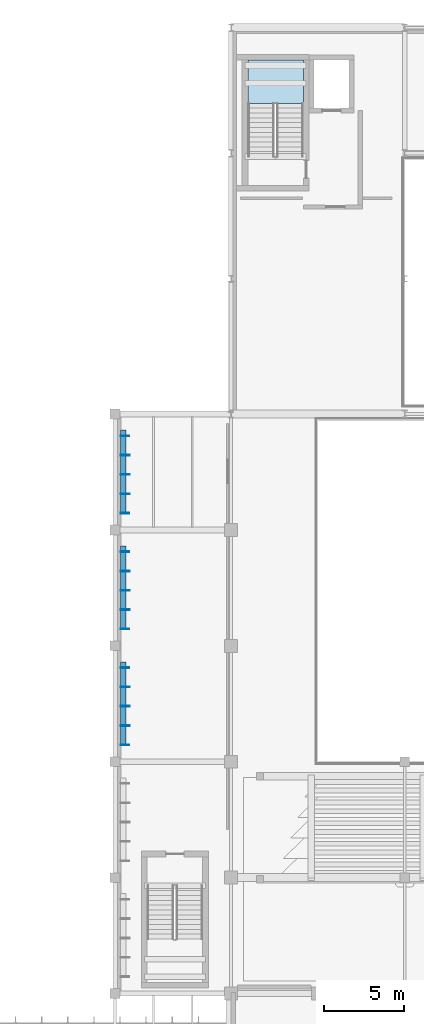
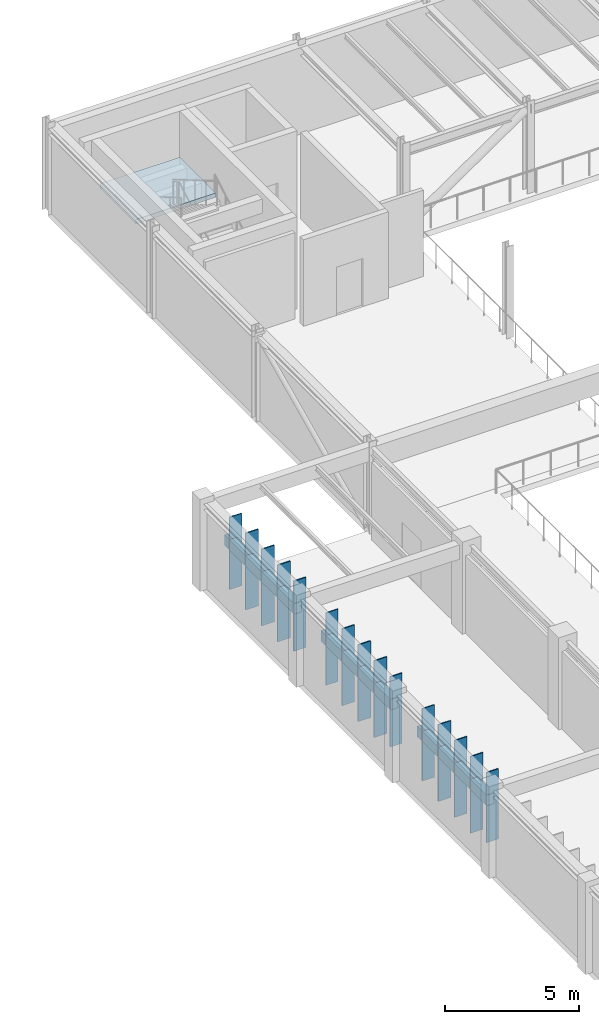
# One storey, part 25 of 122: 18 plates, 1 slab, 1 element without a shape of its own.
"""IFC4 building model written with IfcOpenShell, lengths in metres."""

from ifc_helpers import new_model, si_unit, direction, frame, origin, origin_2d, place, context, subcontext, project, spatial, polyline, rectangle, outline, extrude, material, layer, layer_set, type_object, element, aggregate, save


model = new_model("IFC4")

# Units and contexts
model_context = context("Model", 3, precision=1e-05, world=origin(), true_north=direction((0.0, 1.0)))
body_context = subcontext(model_context, "Body", "Model", "MODEL_VIEW")
ifc_project = project(units=[si_unit("LENGTHUNIT", "METRE"), si_unit("AREAUNIT", "SQUARE_METRE"), si_unit("VOLUMEUNIT", "CUBIC_METRE"), si_unit("PLANEANGLEUNIT", "RADIAN"), si_unit("MASSUNIT", "GRAM", prefix="KILO")], contexts=[model_context])

# Site, building, storey
site_placement = place(None, origin())
site = spatial("IfcSite", under=ifc_project, at=site_placement, CompositionType="ELEMENT")
building_placement = place(site_placement, origin())
building = spatial("IfcBuilding", under=site, at=building_placement, Name="Tazoul Stagehouse", CompositionType="ELEMENT")
storey_placement = place(building_placement, frame((0.0, 0.0, 4.800048828125)))
storey = spatial("IfcBuildingStorey", under=building, at=storey_placement, Name="L01", CompositionType="ELEMENT", Elevation=4.800048828125)

# Stair, slab
ifc_material_1 = material(Name="Concrete C40/50", Category="concrete")
stair_type = type_object("IfcStairType", Name="Protected Core Dogleg Stair 3900", PredefinedType="HALF_TURN_STAIR", material=ifc_material_1)
stair_placement = place(storey_placement, origin())
stair = element("IfcStair", 1, at=stair_placement, inside=storey, type_object=stair_type, Name="L01 Core Escape Stair ST-03", PredefinedType="HALF_TURN_STAIR")
ifc_layer_1 = layer(ifc_material_1, 0.179931640625, Name="Concrete C40/50")
ifc_layer_set_1 = layer_set([ifc_layer_1], Name="Concrete C40/50")
slab_type = type_object("IfcSlabType", Name="Core Half-Landing Slab 180", PredefinedType="LANDING", material=ifc_layer_set_1)
slab_placement = place(storey_placement, frame((0.0, 0.0, 1.89990234375)))
slab = element("IfcSlab", 2, at=slab_placement, type_object=slab_type, Name="ST-03 landing 1", PredefinedType="LANDING", context=body_context, shape_type="SweptSolid", body=[
    extrude(outline(polyline([(62.10009765625, 107.10009765625), (62.10009765625, 109.800048828125), (58.64990234375, 109.800048828125), (58.64990234375, 107.10009765625), (62.10009765625, 107.10009765625)])), origin(), (0.0, 0.0, 1.0), 0.199951171875),
])
aggregate(stair, [slab])

# Plates
ifc_material_2 = material(Name="Anodised Bronze Aluminium 6063-T6", Category="aluminium")
ifc_layer_2 = layer(ifc_material_2, 0.52001953125, Name="Anodised Bronze Aluminium 6063-T6")
ifc_layer_set_2 = layer_set([ifc_layer_2], Name="Anodised Bronze Aluminium 6063-T6")
plate_type_1 = type_object("IfcPlateType", Name="Parametric Terracotta-Bronze Solar Fin 520x3200", PredefinedType="USERDEFINED", material=ifc_layer_set_2)
for number, where, z_axis, x_axis, name in (
    (3, (51.010009765625, 67.239990234375, 0.6201171875), (0.0, 0.0, 1.0), (0.0, 1.0, 0.0), "L01 Parametric Solar Fin SFN-18 (WALL-V1-W-L01-S1-B3-01)"),
    (4, (51.010009765625, 74.43994140625, 0.6201171875), (0.0, 0.0, 1.0), (0.0, 1.0, 0.0), "L01 Parametric Solar Fin SFN-18 (WALL-V1-W-L01-S1-B4-01)"),
    (5, (51.010009765625, 81.639892578125, 0.6201171875), (0.0, 0.0, 1.0), (0.0, 1.0, 0.0), "L01 Parametric Solar Fin SFN-18 (WALL-V1-W-L01-S1-B5-01)"),
):
    element("IfcPlate", number, at=place(storey_placement, frame(where, z_axis=z_axis, x_axis=x_axis)), inside=storey, type_object=plate_type_1, Name=name, ObjectType="SOLAR FIN", PredefinedType="USERDEFINED", context=body_context, shape_type="SweptSolid", body=[
        extrude(rectangle(XDim=0.044921875, YDim=0.52001953125, at=origin_2d()), origin(), (0.0, 0.0, 1.0), 3.199951171875),
    ])
ifc_layer_3 = layer(ifc_material_2, 0.530029296875, Name="Anodised Bronze Aluminium 6063-T6")
ifc_layer_set_3 = layer_set([ifc_layer_3], Name="Anodised Bronze Aluminium 6063-T6")
plate_type_2 = type_object("IfcPlateType", Name="Parametric Terracotta-Bronze Solar Fin 530x3300", PredefinedType="USERDEFINED", material=ifc_layer_set_3)
for number, where, z_axis, x_axis, name in (
    (6, (51.014892578125, 72.0400390625, 0.52001953125), (0.0, 0.0, 1.0), (0.0, 1.0, 0.0), "L01 Parametric Solar Fin SFN-19 (WALL-V1-W-L01-S1-B3-05)"),
    (7, (51.014892578125, 79.239990234375, 0.52001953125), (0.0, 0.0, 1.0), (0.0, 1.0, 0.0), "L01 Parametric Solar Fin SFN-19 (WALL-V1-W-L01-S1-B4-05)"),
    (8, (51.014892578125, 86.43994140625, 0.52001953125), (0.0, 0.0, 1.0), (0.0, 1.0, 0.0), "L01 Parametric Solar Fin SFN-19 (WALL-V1-W-L01-S1-B5-05)"),
):
    element("IfcPlate", number, at=place(storey_placement, frame(where, z_axis=z_axis, x_axis=x_axis)), inside=storey, type_object=plate_type_2, Name=name, ObjectType="SOLAR FIN", PredefinedType="USERDEFINED", context=body_context, shape_type="SweptSolid", body=[
        extrude(rectangle(XDim=0.044921875, YDim=0.530029296875, at=origin_2d()), origin(), (0.0, 0.0, 1.0), 3.300048828125),
    ])
ifc_layer_4 = layer(ifc_material_2, 0.550048828125, Name="Anodised Bronze Aluminium 6063-T6")
ifc_layer_set_4 = layer_set([ifc_layer_4], Name="Anodised Bronze Aluminium 6063-T6")
plate_type_3 = type_object("IfcPlateType", Name="Parametric Terracotta-Bronze Solar Fin 550x3500", PredefinedType="USERDEFINED", material=ifc_layer_set_4)
for number, where, z_axis, x_axis, name in (
    (9, (51.02490234375, 68.43994140625, 0.320068359375), (0.0, 0.0, 1.0), (0.0, 1.0, 0.0), "L01 Parametric Solar Fin SFN-21 (WALL-V1-W-L01-S1-B3-02)"),
    (10, (51.02490234375, 69.639892578125, 0.320068359375), (0.0, 0.0, 1.0), (0.0, 1.0, 0.0), "L01 Parametric Solar Fin SFN-21 (WALL-V1-W-L01-S1-B3-03)"),
    (11, (51.02490234375, 70.840087890625, 0.320068359375), (0.0, 0.0, 1.0), (0.0, 1.0, 0.0), "L01 Parametric Solar Fin SFN-21 (WALL-V1-W-L01-S1-B3-04)"),
    (12, (51.02490234375, 75.639892578125, 0.320068359375), (0.0, 0.0, 1.0), (0.0, 1.0, 0.0), "L01 Parametric Solar Fin SFN-21 (WALL-V1-W-L01-S1-B4-02)"),
    (13, (51.02490234375, 76.840087890625, 0.320068359375), (0.0, 0.0, 1.0), (0.0, 1.0, 0.0), "L01 Parametric Solar Fin SFN-21 (WALL-V1-W-L01-S1-B4-03)"),
    (14, (51.02490234375, 78.0400390625, 0.320068359375), (0.0, 0.0, 1.0), (0.0, 1.0, 0.0), "L01 Parametric Solar Fin SFN-21 (WALL-V1-W-L01-S1-B4-04)"),
    (15, (51.02490234375, 82.840087890625, 0.320068359375), (0.0, 0.0, 1.0), (0.0, 1.0, 0.0), "L01 Parametric Solar Fin SFN-21 (WALL-V1-W-L01-S1-B5-02)"),
    (16, (51.02490234375, 84.0400390625, 0.320068359375), (0.0, 0.0, 1.0), (0.0, 1.0, 0.0), "L01 Parametric Solar Fin SFN-21 (WALL-V1-W-L01-S1-B5-03)"),
    (17, (51.02490234375, 85.239990234375, 0.320068359375), (0.0, 0.0, 1.0), (0.0, 1.0, 0.0), "L01 Parametric Solar Fin SFN-21 (WALL-V1-W-L01-S1-B5-04)"),
):
    element("IfcPlate", number, at=place(storey_placement, frame(where, z_axis=z_axis, x_axis=x_axis)), inside=storey, type_object=plate_type_3, Name=name, ObjectType="SOLAR FIN", PredefinedType="USERDEFINED", context=body_context, shape_type="SweptSolid", body=[
        extrude(rectangle(XDim=0.044921875, YDim=0.550048828125, at=origin_2d()), origin(), (0.0, 0.0, 1.0), 3.5),
    ])
ifc_layer_5 = layer(ifc_material_2, 0.320068359375, Name="Anodised Bronze Aluminium 6063-T6")
ifc_layer_set_5 = layer_set([ifc_layer_5], Name="Anodised Bronze Aluminium 6063-T6")
plate_type_4 = type_object("IfcPlateType", Name="Sculpted Facade Spandrel Ribbon 5200x480", PredefinedType="USERDEFINED", material=ifc_layer_set_5)
for number, where, z_axis, x_axis, name in (
    (18, (50.909912109375, 69.800048828125, 2.321044921875), (0.0, 0.0, 1.0), (0.0, 1.0, 0.0), "L01 Sculpted Facade Spandrel Ribbon FRB-07 (WALL-V1-W-L01-S1-B3)"),
    (19, (50.909912109375, 77.0, 2.321044921875), (0.0, 0.0, 1.0), (0.0, 1.0, 0.0), "L01 Sculpted Facade Spandrel Ribbon FRB-07 (WALL-V1-W-L01-S1-B4)"),
    (20, (50.909912109375, 84.199951171875, 2.321044921875), (0.0, 0.0, 1.0), (0.0, 1.0, 0.0), "L01 Sculpted Facade Spandrel Ribbon FRB-07 (WALL-V1-W-L01-S1-B5)"),
):
    element("IfcPlate", number, at=place(storey_placement, frame(where, z_axis=z_axis, x_axis=x_axis)), inside=storey, type_object=plate_type_4, Name=name, ObjectType="FACADE RIBBON", PredefinedType="USERDEFINED", context=body_context, shape_type="SweptSolid", body=[
        extrude(rectangle(XDim=5.199951171875, YDim=0.320068359375, at=origin_2d()), origin(), (0.0, 0.0, 1.0), 0.47998046875),
    ])

save(model, "model.ifc")
